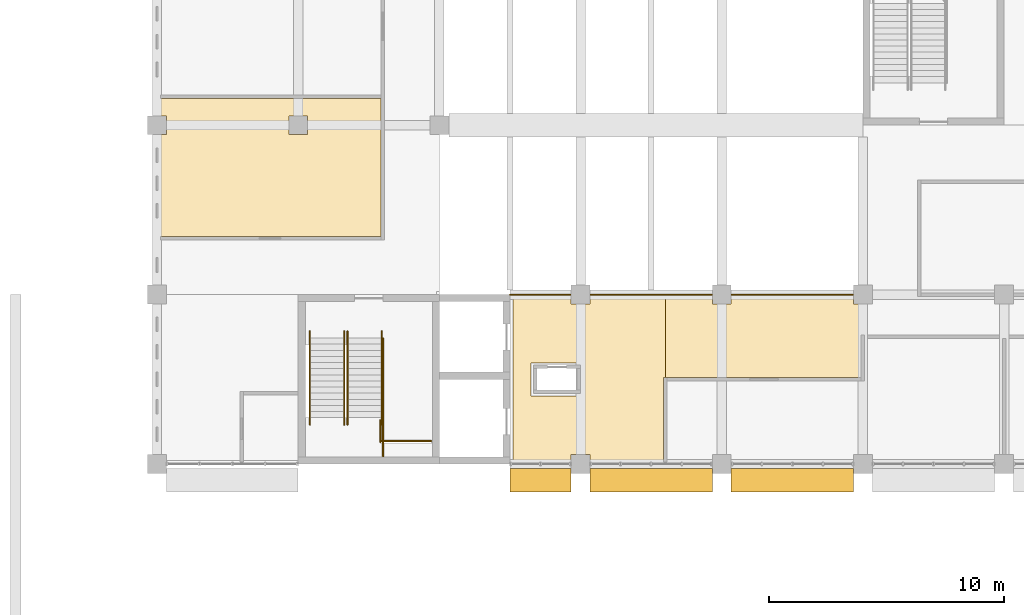
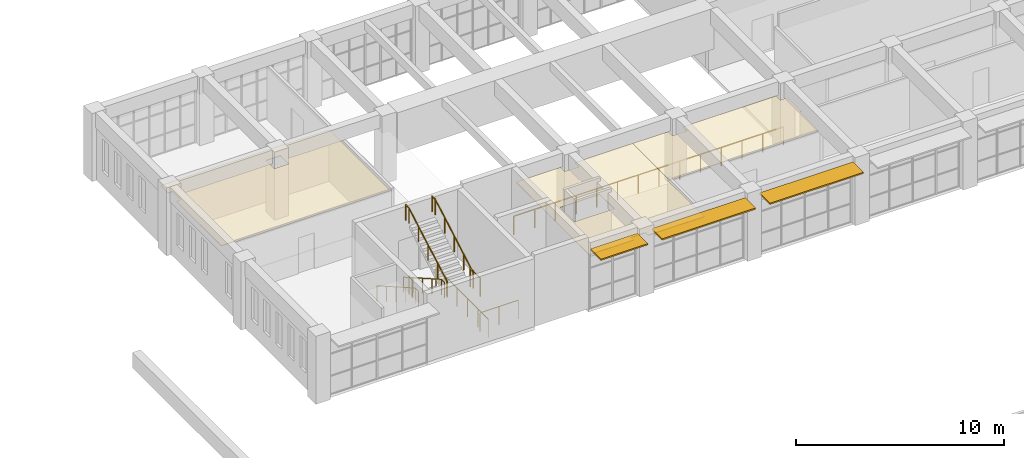
# One storey, part 42 of 47: 9 railings, 3 coverings, 3 shading devices.
"""IFC4 building model written with IfcOpenShell, lengths in metres."""

from ifc_helpers import new_model, si_unit, direction, frame, origin, origin_2d, place, context, subcontext, project, spatial, polyline, rectangle, circle, outline, extrude, material, layer, layer_set, type_object, element, save


model = new_model("IFC4")

# Units and contexts
model_context = context("Model", 3, precision=1e-05, world=origin(), true_north=direction((0.0, 1.0)))
body_context = subcontext(model_context, "Body", "Model", "MODEL_VIEW")
ifc_project = project(units=[si_unit("LENGTHUNIT", "METRE"), si_unit("AREAUNIT", "SQUARE_METRE"), si_unit("VOLUMEUNIT", "CUBIC_METRE"), si_unit("PLANEANGLEUNIT", "RADIAN"), si_unit("MASSUNIT", "GRAM", prefix="KILO")], contexts=[model_context])

# Site, building, storey
site_placement = place(None, origin())
site = spatial("IfcSite", under=ifc_project, at=site_placement, CompositionType="ELEMENT")
building_placement = place(site_placement, origin())
building = spatial("IfcBuilding", under=site, at=building_placement, Name="Laocheng Heights Fire and Rescue Headquarters", CompositionType="ELEMENT")
storey_placement = place(building_placement, frame((0.0, 0.0, 16.800048828125)))
storey = spatial("IfcBuildingStorey", under=building, at=storey_placement, Name="L04", CompositionType="ELEMENT", Elevation=16.800048828125)

# Shading devices
ifc_material_1 = material(Name="Precast concrete C40/50, light warm grey", Category="concrete")
ifc_layer_1 = layer(ifc_material_1, 0.080078125)
ifc_layer_set_1 = layer_set([ifc_layer_1], Name="Precast concrete C40/50, light warm grey")
shading_device_type = type_object("IfcShadingDeviceType", Name="PRECAST BLADE 1000 x 80 BLADE HQ SOUTH", PredefinedType="JALOUSIE", material=ifc_layer_set_1)
shading_device_placement = place(storey_placement, frame((52.300048828125, 49.699951171875, 3.559814453125), z_axis=(0.0, 0.0, 1.0), x_axis=(1.0, 0.0, 0.0)))
element("IfcShadingDevice", 1, at=shading_device_placement, inside=storey, type_object=shading_device_type, Name="BLADE HQ SOUTH L04", PredefinedType="JALOUSIE", context=body_context, shape_type="SweptSolid", body=[
    extrude(rectangle(XDim=2.60009765625, YDim=1.0, at=origin_2d()), origin(), (0.0, 0.0, 1.0), 0.080078125),
])
for number, where, z_axis, x_axis, name in (
    (2, (57.0, 49.699951171875, 3.559814453125), (0.0, 0.0, 1.0), (1.0, 0.0, 0.0), "BLADE HQ SOUTH L04"),
    (3, (63.0, 49.699951171875, 3.559814453125), (0.0, 0.0, 1.0), (1.0, 0.0, 0.0), "BLADE HQ SOUTH L04"),
):
    element("IfcShadingDevice", number, at=place(storey_placement, frame(where, z_axis=z_axis, x_axis=x_axis)), inside=storey, type_object=shading_device_type, Name=name, PredefinedType="JALOUSIE", context=body_context, shape_type="SweptSolid", body=[
        extrude(rectangle(XDim=5.199951171875, YDim=1.0, at=origin_2d()), origin(), (0.0, 0.0, 1.0), 0.080078125),
    ])

# Railings
ifc_material_2 = material(Name="Steel Q355B", Category="steel")
railing_type_1 = type_object("IfcRailingType", Name="STAIR GUARD 1100", PredefinedType="GUARDRAIL", material=ifc_material_2)
railing_1_placement = place(storey_placement, frame((44.094970703125, 55.449951171875, 0.0)))
element("IfcRailing", 4, at=railing_1_placement, inside=storey, type_object=railing_type_1, Name="Stair H1 guard L04 well edge", PredefinedType="GUARDRAIL", context=body_context, shape_type="SweptSolid", body=[
    extrude(circle(Radius=0.02392578125, at=origin_2d()), frame((0.0, 0.0, 1.076171875), z_axis=(0.0, 1.0, 0.0), x_axis=(-1.0, 0.0, 0.0)), (0.0, 0.0, 1.0), 0.300048828125),
    extrude(circle(Radius=0.02099609375, at=origin_2d()), origin(), (0.0, 0.0, 1.0), 1.052001953125),
    extrude(circle(Radius=0.02099609375, at=origin_2d()), frame((0.0, 0.300048828125, 0.0)), (0.0, 0.0, 1.0), 1.052001953125),
])
railing_2_placement = place(storey_placement, frame((45.52490234375, 51.3798828125, 0.0)))
element("IfcRailing", 5, at=railing_2_placement, inside=storey, type_object=railing_type_1, Name="Stair H1 guard L04 tongue edge", PredefinedType="GUARDRAIL", context=body_context, shape_type="SweptSolid", body=[
    extrude(circle(Radius=0.02392578125, at=origin_2d()), frame((0.0, 0.0, 1.076171875), z_axis=(1.0, 0.0, 0.0), x_axis=(0.0, 1.0, 0.0)), (0.0, 0.0, 1.0), 2.125),
    extrude(circle(Radius=0.02099609375, at=origin_2d()), origin(), (0.0, 0.0, 1.0), 1.052001953125),
    extrude(circle(Radius=0.02099609375, at=origin_2d()), frame((1.0625, 0.0, 0.0)), (0.0, 0.0, 1.0), 1.052001953125),
    extrude(circle(Radius=0.02099609375, at=origin_2d()), frame((2.125, 0.0, 0.0)), (0.0, 0.0, 1.0), 1.052001953125),
])
railing_3_placement = place(storey_placement, frame((45.60498046875, 50.719970703125, 0.0)))
element("IfcRailing", 6, at=railing_3_placement, inside=storey, type_object=railing_type_1, Name="Stair H1 guard L04 strip edge", PredefinedType="GUARDRAIL", context=body_context, shape_type="SweptSolid", body=[
    extrude(circle(Radius=0.02392578125, at=origin_2d()), frame((0.0, 0.0, 1.076171875), z_axis=(0.0, 1.0, 0.0), x_axis=(-1.0, 0.0, 0.0)), (0.0, 0.0, 1.0), 5.030029296875),
    extrude(circle(Radius=0.02099609375, at=origin_2d()), origin(), (0.0, 0.0, 1.0), 1.052001953125),
    extrude(circle(Radius=0.02099609375, at=origin_2d()), frame((0.0, 1.006103515625, 0.0)), (0.0, 0.0, 1.0), 1.052001953125),
    extrude(circle(Radius=0.02099609375, at=origin_2d()), frame((0.0, 2.011962890625, 0.0)), (0.0, 0.0, 1.0), 1.052001953125),
    extrude(circle(Radius=0.02099609375, at=origin_2d()), frame((0.0, 3.01806640625, 0.0)), (0.0, 0.0, 1.0), 1.052001953125),
    extrude(circle(Radius=0.02099609375, at=origin_2d()), frame((0.0, 4.02392578125, 0.0)), (0.0, 0.0, 1.0), 1.052001953125),
    extrude(circle(Radius=0.02099609375, at=origin_2d()), frame((0.0, 5.030029296875, 0.0)), (0.0, 0.0, 1.0), 1.052001953125),
])
railing_4_placement = place(storey_placement, frame((45.4951171875, 51.320068359375, 2.099853515625)))
element("IfcRailing", 7, at=railing_4_placement, inside=storey, type_object=railing_type_1, Name="Stair H1 guard L04 half landing", PredefinedType="GUARDRAIL", context=body_context, shape_type="SweptSolid", body=[
    extrude(circle(Radius=0.02392578125, at=origin_2d()), frame((0.0, 0.0, 1.076171875), z_axis=(0.0, 1.0, 0.0), x_axis=(-1.0, 0.0, 0.0)), (0.0, 0.0, 1.0), 0.949951171875),
    extrude(circle(Radius=0.02099609375, at=origin_2d()), origin(), (0.0, 0.0, 1.0), 1.052001953125),
    extrude(circle(Radius=0.02099609375, at=origin_2d()), frame((0.0, 0.949951171875, 0.0)), (0.0, 0.0, 1.0), 1.052001953125),
])
ifc_material_3 = material(Name="Steel Q355B", Category="steel")
railing_type_2 = type_object("IfcRailingType", Name="STAIR HANDRAIL 920", PredefinedType="HANDRAIL", material=ifc_material_3)
for number, where, name in (
    (8, (42.4951171875, 56.050048828125, 0.0), "Stair H1 handrail L04 1"),
    (9, (43.955078125, 56.050048828125, 0.0), "Stair H1 handrail L04 2"),
):
    element("IfcRailing", number, at=place(storey_placement, frame(where)), inside=storey, type_object=railing_type_2, Name=name, PredefinedType="HANDRAIL", context=body_context, shape_type="SweptSolid", body=[
        extrude(circle(Radius=0.02392578125, at=origin_2d()), frame((0.0, 0.0, 0.89599609375), z_axis=(0.0, -0.868544392059, 0.495611379029), x_axis=(1.0, 0.0, 0.0)), (0.0, 0.0, 1.0), 4.23681640625),
        extrude(circle(Radius=0.02392578125, at=origin_2d()), frame((0.0, -3.679931640625, 2.99560546875), z_axis=(0.0, -1.0, 0.0), x_axis=(1.0, 0.0, 0.0)), (0.0, 0.0, 1.0), 0.300048828125),
        extrude(circle(Radius=0.02099609375, at=origin_2d()), origin(), (0.0, 0.0, 1.0), 0.871826171875),
        extrude(circle(Radius=0.02099609375, at=origin_2d()), frame((0.0, -0.919921875, 0.52490234375)), (0.0, 0.0, 1.0), 0.871826171875),
        extrude(circle(Radius=0.02099609375, at=origin_2d()), frame((0.0, -1.83984375, 1.0498046875)), (0.0, 0.0, 1.0), 0.871826171875),
        extrude(circle(Radius=0.02099609375, at=origin_2d()), frame((0.0, -2.760009765625, 1.574951171875)), (0.0, 0.0, 1.0), 0.871826171875),
        extrude(circle(Radius=0.02099609375, at=origin_2d()), frame((0.0, -3.679931640625, 2.099853515625)), (0.0, 0.0, 1.0), 0.871826171875),
        extrude(circle(Radius=0.02099609375, at=origin_2d()), frame((0.0, -3.97998046875, 2.099853515625)), (0.0, 0.0, 1.0), 0.871826171875),
    ])
for number, where, name in (
    (10, (44.094970703125, 52.070068359375, 2.099853515625), "Stair H1 handrail L04 3"),
    (11, (45.554931640625, 52.070068359375, 2.099853515625), "Stair H1 handrail L04 4"),
):
    element("IfcRailing", number, at=place(storey_placement, frame(where)), inside=storey, type_object=railing_type_2, Name=name, PredefinedType="HANDRAIL", context=body_context, shape_type="SweptSolid", body=[
        extrude(circle(Radius=0.02392578125, at=origin_2d()), frame((0.0, 0.0, 0.89599609375), z_axis=(0.0, 0.868519587458, 0.495654845838), x_axis=(-1.0, 0.0, 0.0)), (0.0, 0.0, 1.0), 4.237060546875),
        extrude(circle(Radius=0.02392578125, at=origin_2d()), frame((0.0, 3.679931640625, 2.99609375), z_axis=(0.0, 1.0, 0.0), x_axis=(-1.0, 0.0, 0.0)), (0.0, 0.0, 1.0), 0.300048828125),
        extrude(circle(Radius=0.02099609375, at=origin_2d()), origin(), (0.0, 0.0, 1.0), 0.871826171875),
        extrude(circle(Radius=0.02099609375, at=origin_2d()), frame((0.0, 0.919921875, 0.52490234375)), (0.0, 0.0, 1.0), 0.871826171875),
        extrude(circle(Radius=0.02099609375, at=origin_2d()), frame((0.0, 1.83984375, 1.050048828125)), (0.0, 0.0, 1.0), 0.871826171875),
        extrude(circle(Radius=0.02099609375, at=origin_2d()), frame((0.0, 2.760009765625, 1.5751953125)), (0.0, 0.0, 1.0), 0.871826171875),
        extrude(circle(Radius=0.02099609375, at=origin_2d()), frame((0.0, 3.679931640625, 2.10009765625)), (0.0, 0.0, 1.0), 0.871826171875),
        extrude(circle(Radius=0.02099609375, at=origin_2d()), frame((0.0, 3.97998046875, 2.10009765625)), (0.0, 0.0, 1.0), 0.871826171875),
    ])
ifc_material_4 = material(Name="Steel and laminated glass", Category="steel")
railing_type_3 = type_object("IfcRailingType", Name="STEEL AND LAMINATED GLASS GUARD 1100 HQ WING", PredefinedType="GUARDRAIL", material=ifc_material_4)
railing_5_placement = place(storey_placement, frame((51.0, 57.60009765625, 0.0)))
element("IfcRailing", 12, at=railing_5_placement, inside=storey, type_object=railing_type_3, Name="Overlook gallery guard", PredefinedType="GUARDRAIL", context=body_context, shape_type="SweptSolid", body=[
    extrude(circle(Radius=0.02392578125, at=origin_2d()), frame((0.0, 0.0, 1.076171875), z_axis=(1.0, 0.0, 0.0), x_axis=(0.0, 1.0, 0.0)), (0.0, 0.0, 1.0), 15.0),
    extrude(circle(Radius=0.02099609375, at=origin_2d()), origin(), (0.0, 0.0, 1.0), 1.052001953125),
    extrude(circle(Radius=0.02099609375, at=origin_2d()), frame((1.15380859375, 0.0, 0.0)), (0.0, 0.0, 1.0), 1.052001953125),
    extrude(circle(Radius=0.02099609375, at=origin_2d()), frame((2.3076171875, 0.0, 0.0)), (0.0, 0.0, 1.0), 1.052001953125),
    extrude(circle(Radius=0.02099609375, at=origin_2d()), frame((3.46142578125, 0.0, 0.0)), (0.0, 0.0, 1.0), 1.052001953125),
    extrude(circle(Radius=0.02099609375, at=origin_2d()), frame((4.615478515625, 0.0, 0.0)), (0.0, 0.0, 1.0), 1.052001953125),
    extrude(circle(Radius=0.02099609375, at=origin_2d()), frame((5.769287109375, 0.0, 0.0)), (0.0, 0.0, 1.0), 1.052001953125),
    extrude(circle(Radius=0.02099609375, at=origin_2d()), frame((6.923095703125, 0.0, 0.0)), (0.0, 0.0, 1.0), 1.052001953125),
    extrude(circle(Radius=0.02099609375, at=origin_2d()), frame((8.076904296875, 0.0, 0.0)), (0.0, 0.0, 1.0), 1.052001953125),
    extrude(circle(Radius=0.02099609375, at=origin_2d()), frame((9.230712890625, 0.0, 0.0)), (0.0, 0.0, 1.0), 1.052001953125),
    extrude(circle(Radius=0.02099609375, at=origin_2d()), frame((10.384521484375, 0.0, 0.0)), (0.0, 0.0, 1.0), 1.052001953125),
    extrude(circle(Radius=0.02099609375, at=origin_2d()), frame((11.53857421875, 0.0, 0.0)), (0.0, 0.0, 1.0), 1.052001953125),
    extrude(circle(Radius=0.02099609375, at=origin_2d()), frame((12.6923828125, 0.0, 0.0)), (0.0, 0.0, 1.0), 1.052001953125),
    extrude(circle(Radius=0.02099609375, at=origin_2d()), frame((13.84619140625, 0.0, 0.0)), (0.0, 0.0, 1.0), 1.052001953125),
    extrude(circle(Radius=0.02099609375, at=origin_2d()), frame((15.0, 0.0, 0.0)), (0.0, 0.0, 1.0), 1.052001953125),
])

# Coverings
ifc_material_5 = material(Name="Mineral fibre ceiling tile")
ifc_layer_2 = layer(ifc_material_5, 0.0400390625)
ifc_layer_set_2 = layer_set([ifc_layer_2], Name="Mineral fibre ceiling tile")
covering_type = type_object("IfcCoveringType", Name="SUSPENDED CEILING MINERAL FIBRE TILE HQ WING", PredefinedType="CEILING", material=ifc_layer_set_2)
covering_1_placement = place(storey_placement, frame((0.0, 0.0, 3.0)))
element("IfcCovering", 13, at=covering_1_placement, inside=storey, type_object=covering_type, Name="Lift Lobby ceiling", PredefinedType="CEILING", context=body_context, shape_type="SweptSolid", body=[
    extrude(outline(polyline([(57.60009765625, 54.074951171875), (57.52490234375, 54.074951171875), (57.52490234375, 50.550048828125), (54.39990234375, 50.550048828125), (54.39990234375, 50.800048828125), (53.60009765625, 50.800048828125), (53.60009765625, 50.550048828125), (51.125, 50.550048828125), (51.125, 53.875), (51.125, 54.125), (51.125, 57.47509765625), (51.125, 57.60009765625), (53.60009765625, 57.60009765625), (53.60009765625, 57.199951171875), (54.39990234375, 57.199951171875), (54.39990234375, 57.60009765625), (57.60009765625, 57.60009765625), (57.60009765625, 54.074951171875)]), holes=[polyline([(53.89990234375, 53.300048828125), (54.10009765625, 53.300048828125), (54.10009765625, 53.5), (54.10009765625, 54.5), (54.10009765625, 54.699951171875), (53.89990234375, 54.699951171875), (52.10009765625, 54.699951171875), (51.89990234375, 54.699951171875), (51.89990234375, 54.5), (51.89990234375, 53.5), (51.89990234375, 53.300048828125), (52.10009765625, 53.300048828125), (53.89990234375, 53.300048828125)])]), origin(), (0.0, 0.0, 1.0), 0.0400390625),
])
covering_2_placement = place(storey_placement, frame((0.0, 0.0, 3.0)))
element("IfcCovering", 14, at=covering_2_placement, inside=storey, type_object=covering_type, Name="Control Room Overlook Gallery ceiling", PredefinedType="CEILING", context=body_context, shape_type="SweptSolid", body=[
    extrude(outline(polyline([(59.60009765625, 57.60009765625), (59.60009765625, 57.199951171875), (60.39990234375, 57.199951171875), (60.39990234375, 57.60009765625), (65.60009765625, 57.60009765625), (65.60009765625, 57.199951171875), (66.0, 57.199951171875), (66.0, 55.875), (65.925048828125, 55.875), (65.925048828125, 54.074951171875), (57.675048828125, 54.074951171875), (57.60009765625, 54.074951171875), (57.60009765625, 57.60009765625), (59.60009765625, 57.60009765625)])), origin(), (0.0, 0.0, 1.0), 0.0400390625),
])
covering_3_placement = place(storey_placement, frame((0.0, 0.0, 3.0)))
element("IfcCovering", 15, at=covering_3_placement, inside=storey, type_object=covering_type, Name="Fire Investigation Office ceiling", PredefinedType="CEILING", context=body_context, shape_type="SweptSolid", body=[
    extrude(outline(polyline([(45.52490234375, 60.074951171875), (36.14990234375, 60.074951171875), (36.14990234375, 64.39990234375), (36.39990234375, 64.39990234375), (36.39990234375, 65.199951171875), (36.14990234375, 65.199951171875), (36.14990234375, 65.925048828125), (45.52490234375, 65.925048828125), (45.52490234375, 60.074951171875)]), holes=[polyline([(42.39990234375, 65.199951171875), (41.60009765625, 65.199951171875), (41.60009765625, 64.39990234375), (42.39990234375, 64.39990234375), (42.39990234375, 65.199951171875)])]), origin(), (0.0, 0.0, 1.0), 0.0400390625),
])

save(model, "model.ifc")
